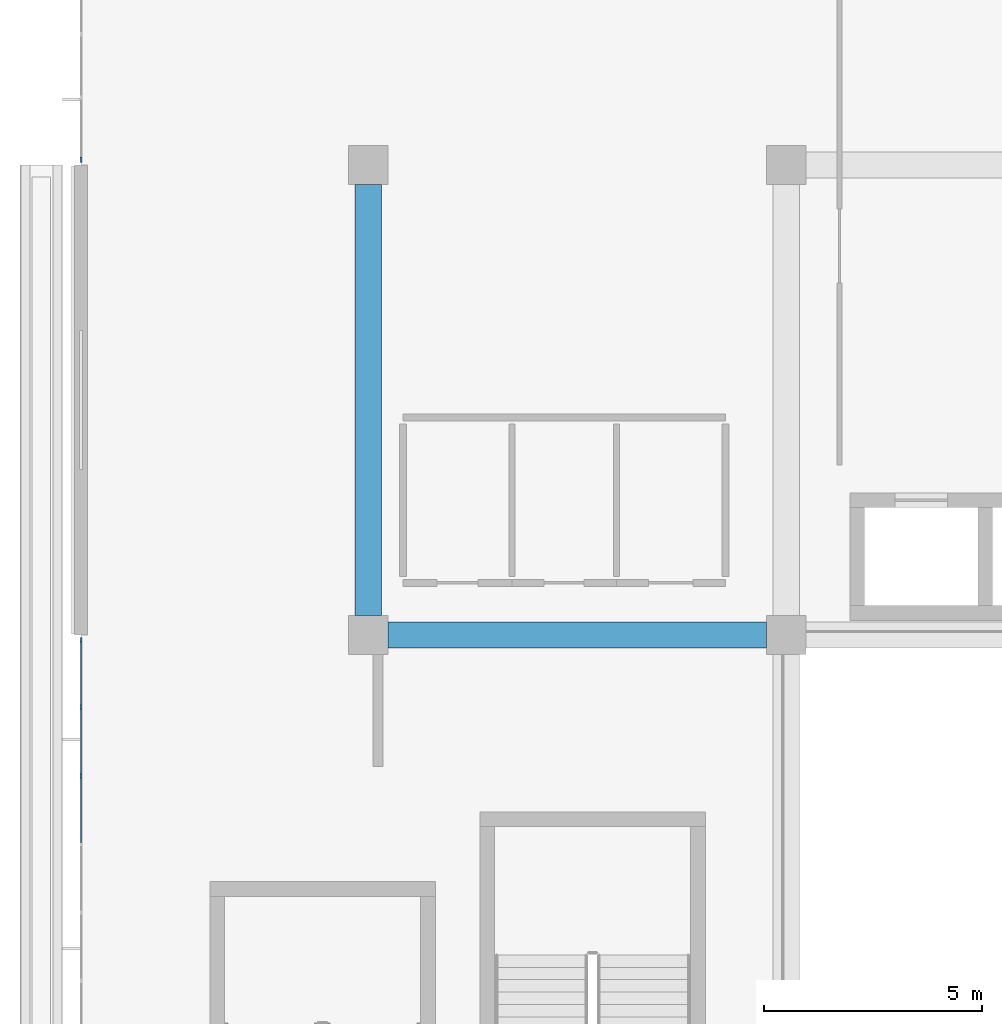
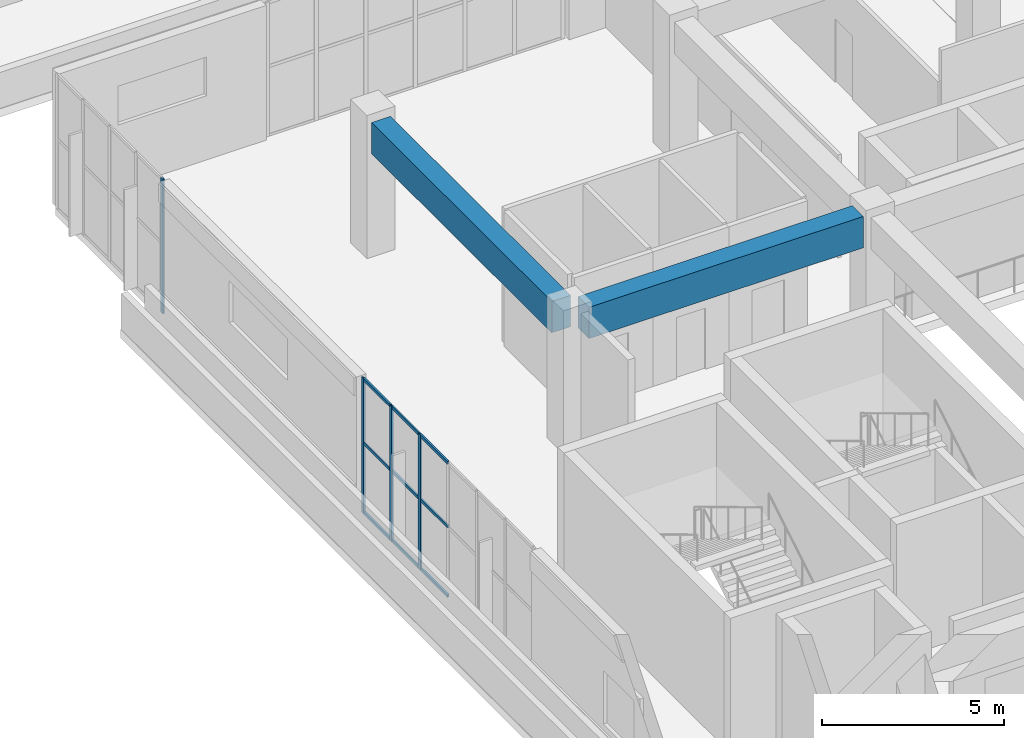
# One storey, part 9 of 96: 13 members, 2 beams, 2 elements without a shape of their own.
"""IFC4 building model written with IfcOpenShell, lengths in metres."""

from ifc_helpers import new_model, si_unit, direction, frame, origin, origin_2d, place, context, subcontext, project, spatial, rectangle, extrude, material, layer, layer_set, material_profile, profile_set, type_object, element, aggregate, save


model = new_model("IFC4")

# Units and contexts
model_context = context("Model", 3, precision=1e-05, world=origin(), true_north=direction((0.0, 1.0)))
body_context = subcontext(model_context, "Body", "Model", "MODEL_VIEW")
ifc_project = project(units=[si_unit("LENGTHUNIT", "METRE"), si_unit("AREAUNIT", "SQUARE_METRE"), si_unit("VOLUMEUNIT", "CUBIC_METRE"), si_unit("PLANEANGLEUNIT", "RADIAN"), si_unit("MASSUNIT", "GRAM", prefix="KILO")], contexts=[model_context])

# Site, building, storey
site_placement = place(None, origin())
site = spatial("IfcSite", under=ifc_project, at=site_placement, CompositionType="ELEMENT")
building_placement = place(site_placement, origin())
building = spatial("IfcBuilding", under=site, at=building_placement, Name="Cendralis Terraced Arcade", CompositionType="ELEMENT")
storey_placement = place(building_placement, frame((0.0, 0.0, 10.199951171875)))
storey = spatial("IfcBuildingStorey", under=building, at=storey_placement, Name="L02", CompositionType="ELEMENT", Elevation=10.199951171875)

# Beams
ifc_material_1 = material(Name="Concrete f'c 35 MPa", Category="concrete")
ifc_material_profile_1 = material_profile(ifc_material_1, rectangle(XDim=0.60009765625, YDim=1.050048828125, at=origin_2d()), Name="RC-BM-600x1050", Category="LoadBearing")
ifc_profile_set_1 = profile_set([ifc_material_profile_1], Name="Concrete f'c 35 MPa")
beam_type = type_object("IfcBeamType", Name="BM-600x1050", PredefinedType="JOIST", material=ifc_profile_set_1)
beam_1_placement = place(storey_placement, frame((10.050048828125, 38.39990234375, 3.989990234375), z_axis=(1.0, 0.0, 0.0), x_axis=(0.0, 1.0, 0.0)))
element("IfcBeam", 1, at=beam_1_placement, inside=storey, type_object=beam_type, Name="Reinforced Concrete Frame Beam BM-X-L03-E-2_3", PredefinedType="JOIST", context=body_context, shape_type="SweptSolid", body=[
    extrude(rectangle(XDim=0.60009765625, YDim=1.050048828125, at=origin_2d()), origin(), (0.0, 0.0, 1.0), 8.699951171875),
])
beam_2_placement = place(storey_placement, frame((9.60009765625, 38.85009765625, 3.989990234375), z_axis=(0.0, 1.0, 0.0), x_axis=(-1.0, 0.0, 0.0)))
element("IfcBeam", 2, at=beam_2_placement, inside=storey, type_object=beam_type, Name="Reinforced Concrete Frame Beam BM-Y-L03-2-E_F", PredefinedType="JOIST", context=body_context, shape_type="SweptSolid", body=[
    extrude(rectangle(XDim=0.60009765625, YDim=1.050048828125, at=origin_2d()), origin(), (0.0, 0.0, 1.0), 9.89990234375),
])

# Curtain wall, members
ifc_material_2 = material(Name="Anodised aluminium EN AW-6063 T6", Category="aluminium")
ifc_layer = layer(ifc_material_2, 0.1201171875, Name="CW-STORE-B")
ifc_layer_set = layer_set([ifc_layer], Name="Anodised aluminium EN AW-6063 T6")
curtain_wall_type = type_object("IfcCurtainWallType", Name="CW-STORE-B", PredefinedType="USERDEFINED", material=ifc_layer_set)
curtain_wall_1_placement = place(storey_placement, origin())
curtain_wall_1 = element("IfcCurtainWall", 3, at=curtain_wall_1_placement, inside=storey, type_object=curtain_wall_type, Name="Exterior Storefront Glazing CW-L02-0221", ObjectType="STOREFRONT GLAZING", PredefinedType="USERDEFINED")
ifc_material_profile_2 = material_profile(ifc_material_2, rectangle(XDim=0.054931640625, YDim=0.1201171875, at=origin_2d()), Name="ALU-MUL-55x120")
ifc_profile_set_2 = profile_set([ifc_material_profile_2], Name="Anodised aluminium EN AW-6063 T6")
member_type_1 = type_object("IfcMemberType", Name="CW-STORE-B-MUL", PredefinedType="MULLION", material=ifc_profile_set_2)
member_1_placement = place(storey_placement, frame((3.0, 35.169921875, 0.0), z_axis=(0.0, 0.0, 1.0), x_axis=(-1.0, 0.0, 0.0)))
member_1 = element("IfcMember", 4, at=member_1_placement, type_object=member_type_1, Name="CW-S2 mullion 5", PredefinedType="MULLION", context=body_context, shape_type="SweptSolid", body=[
    extrude(rectangle(XDim=0.054931640625, YDim=0.1201171875, at=origin_2d()), origin(), (0.0, 0.0, 1.0), 4.51513671875),
])
member_2_placement = place(storey_placement, frame((3.0, 36.739990234375, 0.0), z_axis=(0.0, 0.0, 1.0), x_axis=(-1.0, 0.0, 0.0)))
member_2 = element("IfcMember", 5, at=member_2_placement, type_object=member_type_1, Name="CW-S2 mullion 6", PredefinedType="MULLION", context=body_context, shape_type="SweptSolid", body=[
    extrude(rectangle(XDim=0.054931640625, YDim=0.1201171875, at=origin_2d()), origin(), (0.0, 0.0, 1.0), 4.51513671875),
])
member_3_placement = place(storey_placement, frame((3.0, 38.282470703125, 0.0), z_axis=(0.0, 0.0, 1.0), x_axis=(-1.0, 0.0, 0.0)))
member_3 = element("IfcMember", 6, at=member_3_placement, type_object=member_type_1, Name="CW-S2 mullion 7", PredefinedType="MULLION", context=body_context, shape_type="SweptSolid", body=[
    extrude(rectangle(XDim=0.054931640625, YDim=0.1201171875, at=origin_2d()), origin(), (0.0, 0.0, 1.0), 4.51513671875),
])

# Curtain wall, member
curtain_wall_2_placement = place(storey_placement, origin())
curtain_wall_2 = element("IfcCurtainWall", 7, at=curtain_wall_2_placement, inside=storey, type_object=curtain_wall_type, Name="Exterior Storefront Glazing CW-L02-0222", ObjectType="STOREFRONT GLAZING", PredefinedType="USERDEFINED")
member_4_placement = place(storey_placement, frame((3.0, 49.3173828125, 0.0), z_axis=(0.0, 0.0, 1.0), x_axis=(-1.0, 0.0, 0.0)))
member_4 = element("IfcMember", 8, at=member_4_placement, type_object=member_type_1, Name="CW-S2 mullion 1", PredefinedType="MULLION", context=body_context, shape_type="SweptSolid", body=[
    extrude(rectangle(XDim=0.054931640625, YDim=0.1201171875, at=origin_2d()), origin(), (0.0, 0.0, 1.0), 4.51513671875),
])
aggregate(curtain_wall_2, [member_4])

# Member
ifc_material_profile_3 = material_profile(ifc_material_2, rectangle(XDim=0.054931640625, YDim=0.10009765625, at=origin_2d()), Name="ALU-TRN-55x100")
ifc_profile_set_3 = profile_set([ifc_material_profile_3], Name="Anodised aluminium EN AW-6063 T6")
member_type_2 = type_object("IfcMemberType", Name="CW-STORE-B-TRN", PredefinedType="USERDEFINED", material=ifc_profile_set_3)
member_5_placement = place(storey_placement, frame((3.0, 33.62744140625, 0.027587890625), z_axis=(0.0, 1.0, 0.0), x_axis=(-1.0, 0.0, 0.0)))
member_5 = element("IfcMember", 9, at=member_5_placement, type_object=member_type_2, Name="CW-S2 transom 4.1", ObjectType="TRANSOM", PredefinedType="USERDEFINED", context=body_context, shape_type="SweptSolid", body=[
    extrude(rectangle(XDim=0.054931640625, YDim=0.10009765625, at=origin_2d()), origin(), (0.0, 0.0, 1.0), 1.51513671875),
])

member_6_placement = place(storey_placement, frame((3.0, 33.62744140625, 2.347900390625), z_axis=(0.0, 1.0, 0.0), x_axis=(-1.0, 0.0, 0.0)))
member_6 = element("IfcMember", 10, at=member_6_placement, type_object=member_type_2, Name="CW-S2 transom 4.2", ObjectType="TRANSOM", PredefinedType="USERDEFINED", context=body_context, shape_type="SweptSolid", body=[
    extrude(rectangle(XDim=0.054931640625, YDim=0.10009765625, at=origin_2d()), origin(), (0.0, 0.0, 1.0), 1.51513671875),
])

member_7_placement = place(storey_placement, frame((3.0, 33.62744140625, 4.487548828125), z_axis=(0.0, 1.0, 0.0), x_axis=(-1.0, 0.0, 0.0)))
member_7 = element("IfcMember", 11, at=member_7_placement, type_object=member_type_2, Name="CW-S2 transom 4.3", ObjectType="TRANSOM", PredefinedType="USERDEFINED", context=body_context, shape_type="SweptSolid", body=[
    extrude(rectangle(XDim=0.054931640625, YDim=0.10009765625, at=origin_2d()), origin(), (0.0, 0.0, 1.0), 1.51513671875),
])

member_8_placement = place(storey_placement, frame((3.0, 35.197509765625, 0.027587890625), z_axis=(0.0, 1.0, 0.0), x_axis=(-1.0, 0.0, 0.0)))
member_8 = element("IfcMember", 12, at=member_8_placement, type_object=member_type_2, Name="CW-S2 transom 5.1", ObjectType="TRANSOM", PredefinedType="USERDEFINED", context=body_context, shape_type="SweptSolid", body=[
    extrude(rectangle(XDim=0.054931640625, YDim=0.10009765625, at=origin_2d()), origin(), (0.0, 0.0, 1.0), 1.514892578125),
])

member_9_placement = place(storey_placement, frame((3.0, 35.197509765625, 2.347900390625), z_axis=(0.0, 1.0, 0.0), x_axis=(-1.0, 0.0, 0.0)))
member_9 = element("IfcMember", 13, at=member_9_placement, type_object=member_type_2, Name="CW-S2 transom 5.2", ObjectType="TRANSOM", PredefinedType="USERDEFINED", context=body_context, shape_type="SweptSolid", body=[
    extrude(rectangle(XDim=0.054931640625, YDim=0.10009765625, at=origin_2d()), origin(), (0.0, 0.0, 1.0), 1.514892578125),
])

member_10_placement = place(storey_placement, frame((3.0, 35.197509765625, 4.487548828125), z_axis=(0.0, 1.0, 0.0), x_axis=(-1.0, 0.0, 0.0)))
member_10 = element("IfcMember", 14, at=member_10_placement, type_object=member_type_2, Name="CW-S2 transom 5.3", ObjectType="TRANSOM", PredefinedType="USERDEFINED", context=body_context, shape_type="SweptSolid", body=[
    extrude(rectangle(XDim=0.054931640625, YDim=0.10009765625, at=origin_2d()), origin(), (0.0, 0.0, 1.0), 1.514892578125),
])

member_11_placement = place(storey_placement, frame((3.0, 36.767578125, 0.027587890625), z_axis=(0.0, 1.0, 0.0), x_axis=(-1.0, 0.0, 0.0)))
member_11 = element("IfcMember", 15, at=member_11_placement, type_object=member_type_2, Name="CW-S2 transom 6.1", ObjectType="TRANSOM", PredefinedType="USERDEFINED", context=body_context, shape_type="SweptSolid", body=[
    extrude(rectangle(XDim=0.054931640625, YDim=0.10009765625, at=origin_2d()), origin(), (0.0, 0.0, 1.0), 1.4873046875),
])

member_12_placement = place(storey_placement, frame((3.0, 36.767578125, 2.347900390625), z_axis=(0.0, 1.0, 0.0), x_axis=(-1.0, 0.0, 0.0)))
member_12 = element("IfcMember", 16, at=member_12_placement, type_object=member_type_2, Name="CW-S2 transom 6.2", ObjectType="TRANSOM", PredefinedType="USERDEFINED", context=body_context, shape_type="SweptSolid", body=[
    extrude(rectangle(XDim=0.054931640625, YDim=0.10009765625, at=origin_2d()), origin(), (0.0, 0.0, 1.0), 1.4873046875),
])

member_13_placement = place(storey_placement, frame((3.0, 36.767578125, 4.487548828125), z_axis=(0.0, 1.0, 0.0), x_axis=(-1.0, 0.0, 0.0)))
member_13 = element("IfcMember", 17, at=member_13_placement, type_object=member_type_2, Name="CW-S2 transom 6.3", ObjectType="TRANSOM", PredefinedType="USERDEFINED", context=body_context, shape_type="SweptSolid", body=[
    extrude(rectangle(XDim=0.054931640625, YDim=0.10009765625, at=origin_2d()), origin(), (0.0, 0.0, 1.0), 1.4873046875),
])

aggregate(curtain_wall_1, [member_1, member_2, member_3, member_5, member_6, member_7, member_8, member_9, member_10, member_11, member_12, member_13])

save(model, "model.ifc")
